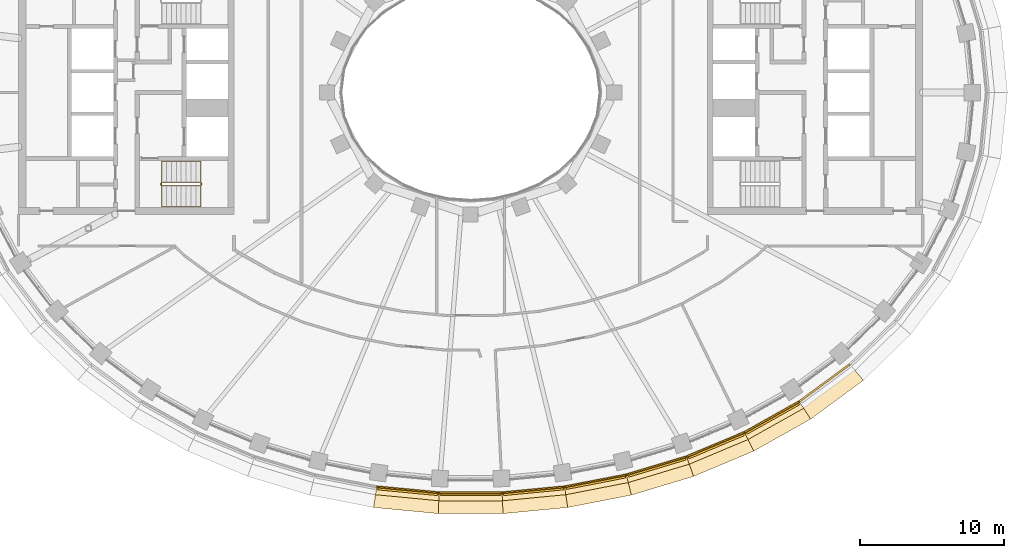
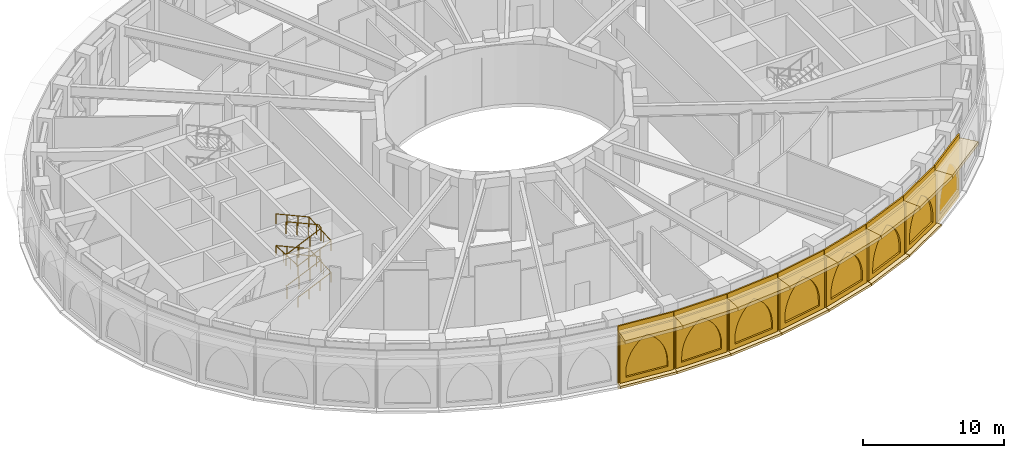
# One storey, part 21 of 25: 30 coverings, 2 railings.
"""IFC4 building model written with IfcOpenShell, lengths in metres."""

from ifc_helpers import new_model, si_unit, direction, frame, origin, origin_2d, place, context, subcontext, project, spatial, polyline, rectangle, outline, extrude, material, layer, layer_set, type_object, element, save


model = new_model("IFC4")

# Units and contexts
model_context = context("Model", 3, precision=1e-05, world=origin(), true_north=direction((0.0, 1.0)))
body_context = subcontext(model_context, "Body", "Model", "MODEL_VIEW")
ifc_project = project(units=[si_unit("LENGTHUNIT", "METRE"), si_unit("AREAUNIT", "SQUARE_METRE"), si_unit("VOLUMEUNIT", "CUBIC_METRE"), si_unit("PLANEANGLEUNIT", "RADIAN"), si_unit("MASSUNIT", "GRAM", prefix="KILO")], contexts=[model_context])

# Site, building, storey
site_placement = place(None, origin())
site = spatial("IfcSite", under=ifc_project, at=site_placement, CompositionType="ELEMENT")
building_placement = place(site_placement, origin())
building = spatial("IfcBuilding", under=site, at=building_placement, Name="Noorbagh Ring Tower", CompositionType="ELEMENT")
storey_placement = place(building_placement, frame((0.0, 0.0, 198.0)))
storey = spatial("IfcBuildingStorey", under=building, at=storey_placement, Name="L46", CompositionType="ELEMENT", Elevation=198.0)

# Railings
ifc_material_1 = material(Name="Stainless steel", Category="steel")
railing_type_1 = type_object("IfcRailingType", Name="CORE-STAIR-GUARD", PredefinedType="GUARDRAIL", material=ifc_material_1)
railing_1_placement = place(storey_placement, frame((-21.580078125, -6.449951171875, 0.0)))
element("IfcRailing", 1, at=railing_1_placement, inside=storey, type_object=railing_type_1, Name="L46 ST2 stair guard", PredefinedType="GUARDRAIL", context=body_context, shape_type="SweptSolid", body=[
    extrude(rectangle(XDim=0.048095703125, YDim=0.048095703125, at=origin_2d()), frame((0.0, 0.0, 1.076171875), z_axis=(0.0, 1.0, 0.0), x_axis=(-1.0, 0.0, 0.0)), (0.0, 0.0, 1.0), 0.14990234375),
    extrude(rectangle(XDim=0.048095703125, YDim=0.048095703125, at=origin_2d()), frame((0.0, 0.14990234375, 1.076171875), z_axis=(0.195046945594, -0.779236333862, 0.595606770449), x_axis=(0.970072785993, 0.242814311512, 0.0)), (0.0, 0.0, 1.0), 0.256591796875),
    extrude(rectangle(XDim=0.048095703125, YDim=0.048095703125, at=origin_2d()), frame((0.050048828125, -0.050048828125, 1.22900390625), z_axis=(0.912149621895, 0.0, 0.409857374312), x_axis=(0.0, 1.0, 0.0)), (0.0, 0.0, 1.0), 2.98193359375),
    extrude(rectangle(XDim=0.048095703125, YDim=0.048095703125, at=origin_2d()), frame((2.77001953125, -0.050048828125, 2.451171875), z_axis=(0.707106781187, 0.707106781187, 0.0), x_axis=(-0.707106781187, 0.707106781187, 0.0)), (0.0, 0.0, 1.0), 0.07080078125),
    extrude(rectangle(XDim=0.048095703125, YDim=0.048095703125, at=origin_2d()), frame((2.820068359375, 0.0, 2.451171875), z_axis=(0.0, 1.0, 0.0), x_axis=(-1.0, 0.0, 0.0)), (0.0, 0.0, 1.0), 0.14990234375),
    extrude(rectangle(XDim=0.048095703125, YDim=0.048095703125, at=origin_2d()), frame((2.820068359375, 0.14990234375, 2.451171875), z_axis=(-0.297155754911, 0.297155754911, 0.90741220768), x_axis=(-0.707106781187, -0.707106781187, 0.0)), (0.0, 0.0, 1.0), 0.16845703125),
    extrude(rectangle(XDim=0.048095703125, YDim=0.048095703125, at=origin_2d()), frame((2.77001953125, 0.199951171875, 2.60400390625), z_axis=(-0.912149621895, 0.0, 0.409857374312), x_axis=(0.0, -1.0, 0.0)), (0.0, 0.0, 1.0), 2.98193359375),
    extrude(rectangle(XDim=0.048095703125, YDim=0.048095703125, at=origin_2d()), frame((0.050048828125, 0.199951171875, 3.826171875), z_axis=(-0.242814311512, -0.970072785993, 0.0), x_axis=(0.970072785993, -0.242814311512, 0.0)), (0.0, 0.0, 1.0), 0.2060546875),
    extrude(rectangle(XDim=0.048095703125, YDim=0.048095703125, at=origin_2d()), frame((0.0, 0.0, 3.826171875), z_axis=(0.0, 1.0, 0.0), x_axis=(-1.0, 0.0, 0.0)), (0.0, 0.0, 1.0), 0.14990234375),
    extrude(rectangle(XDim=0.048095703125, YDim=0.048095703125, at=origin_2d()), frame((0.0, 0.14990234375, 3.826171875), z_axis=(0.195046945594, -0.779236333862, 0.595606770449), x_axis=(0.970072785993, 0.242814311512, 0.0)), (0.0, 0.0, 1.0), 0.256591796875),
    extrude(rectangle(XDim=0.048095703125, YDim=0.048095703125, at=origin_2d()), frame((0.050048828125, -0.050048828125, 3.97900390625), z_axis=(0.912149621895, 0.0, 0.409857374312), x_axis=(0.0, 1.0, 0.0)), (0.0, 0.0, 1.0), 2.98193359375),
    extrude(rectangle(XDim=0.048095703125, YDim=0.048095703125, at=origin_2d()), frame((2.77001953125, -0.050048828125, 5.201171875), z_axis=(0.707106781187, 0.707106781187, 0.0), x_axis=(-0.707106781187, 0.707106781187, 0.0)), (0.0, 0.0, 1.0), 0.07080078125),
    extrude(rectangle(XDim=0.048095703125, YDim=0.048095703125, at=origin_2d()), frame((2.820068359375, 0.0, 5.201171875), z_axis=(0.0, 1.0, 0.0), x_axis=(-1.0, 0.0, 0.0)), (0.0, 0.0, 1.0), 0.14990234375),
    extrude(rectangle(XDim=0.048095703125, YDim=0.048095703125, at=origin_2d()), frame((2.820068359375, 0.14990234375, 5.201171875), z_axis=(-0.297155754911, 0.297155754911, 0.90741220768), x_axis=(-0.707106781187, -0.707106781187, 0.0)), (0.0, 0.0, 1.0), 0.16845703125),
    extrude(rectangle(XDim=0.048095703125, YDim=0.048095703125, at=origin_2d()), frame((2.77001953125, 0.199951171875, 5.35400390625), z_axis=(-0.912149621895, 0.0, 0.409857374312), x_axis=(0.0, -1.0, 0.0)), (0.0, 0.0, 1.0), 2.98193359375),
    extrude(rectangle(XDim=0.0419921875, YDim=0.0419921875, at=origin_2d()), origin(), (0.0, 0.0, 1.0), 1.052001953125),
    extrude(rectangle(XDim=0.0419921875, YDim=0.0419921875, at=origin_2d()), frame((0.956787109375, -0.050048828125, 0.560302734375)), (0.0, 0.0, 1.0), 1.052001953125),
    extrude(rectangle(XDim=0.0419921875, YDim=0.0419921875, at=origin_2d()), frame((1.86328125, -0.050048828125, 0.967529296875)), (0.0, 0.0, 1.0), 1.052001953125),
    extrude(rectangle(XDim=0.0419921875, YDim=0.0419921875, at=origin_2d()), frame((2.77001953125, -0.050048828125, 1.375)), (0.0, 0.0, 1.0), 1.052001953125),
    extrude(rectangle(XDim=0.0419921875, YDim=0.0419921875, at=origin_2d()), frame((1.86328125, 0.199951171875, 1.935302734375)), (0.0, 0.0, 1.0), 1.052001953125),
    extrude(rectangle(XDim=0.0419921875, YDim=0.0419921875, at=origin_2d()), frame((0.956787109375, 0.199951171875, 2.342529296875)), (0.0, 0.0, 1.0), 1.052001953125),
    extrude(rectangle(XDim=0.0419921875, YDim=0.0419921875, at=origin_2d()), frame((0.050048828125, 0.199951171875, 2.75)), (0.0, 0.0, 1.0), 1.052001953125),
    extrude(rectangle(XDim=0.0419921875, YDim=0.0419921875, at=origin_2d()), frame((0.956787109375, -0.050048828125, 3.310302734375)), (0.0, 0.0, 1.0), 1.052001953125),
    extrude(rectangle(XDim=0.0419921875, YDim=0.0419921875, at=origin_2d()), frame((1.86328125, -0.050048828125, 3.717529296875)), (0.0, 0.0, 1.0), 1.052001953125),
    extrude(rectangle(XDim=0.0419921875, YDim=0.0419921875, at=origin_2d()), frame((2.77001953125, -0.050048828125, 4.125)), (0.0, 0.0, 1.0), 1.052001953125),
    extrude(rectangle(XDim=0.0419921875, YDim=0.0419921875, at=origin_2d()), frame((1.86328125, 0.199951171875, 4.685302734375)), (0.0, 0.0, 1.0), 1.052001953125),
    extrude(rectangle(XDim=0.0419921875, YDim=0.0419921875, at=origin_2d()), frame((0.956787109375, 0.199951171875, 5.092529296875)), (0.0, 0.0, 1.0), 1.052001953125),
    extrude(rectangle(XDim=0.0419921875, YDim=0.0419921875, at=origin_2d()), frame((0.050048828125, 0.199951171875, 5.5)), (0.0, 0.0, 1.0), 1.052001953125),
])
ifc_material_2 = material(Name="Stainless steel", Category="steel")
railing_type_2 = type_object("IfcRailingType", Name="CORE-STAIR-HANDRAIL", PredefinedType="HANDRAIL", material=ifc_material_2)
railing_2_placement = place(storey_placement, frame((-21.530029296875, -7.949951171875, 0.15283203125)))
element("IfcRailing", 2, at=railing_2_placement, inside=storey, type_object=railing_type_2, Name="L46 ST2 stair handrail", PredefinedType="HANDRAIL", context=body_context, shape_type="SweptSolid", body=[
    extrude(rectangle(XDim=0.048095703125, YDim=0.048095703125, at=origin_2d()), frame((0.0, 0.0, 0.8759765625), z_axis=(0.912149621895, 0.0, 0.409857374312), x_axis=(0.0, 1.0, 0.0)), (0.0, 0.0, 1.0), 2.98193359375),
    extrude(rectangle(XDim=0.048095703125, YDim=0.048095703125, at=origin_2d()), frame((2.719970703125, 0.0, 2.09814453125), z_axis=(0.0, 0.998824997948, 0.048462598722), x_axis=(-1.0, 0.0, 0.0)), (0.0, 0.0, 1.0), 3.153564453125),
    extrude(rectangle(XDim=0.048095703125, YDim=0.048095703125, at=origin_2d()), frame((2.719970703125, 3.14990234375, 2.2509765625), z_axis=(-0.912149621895, 0.0, 0.409857374312), x_axis=(0.0, -1.0, 0.0)), (0.0, 0.0, 1.0), 2.98193359375),
    extrude(rectangle(XDim=0.048095703125, YDim=0.048095703125, at=origin_2d()), frame((0.0, 3.14990234375, 3.47314453125), z_axis=(0.0, -0.998824997948, 0.048462598722), x_axis=(1.0, 0.0, 0.0)), (0.0, 0.0, 1.0), 3.153564453125),
    extrude(rectangle(XDim=0.048095703125, YDim=0.048095703125, at=origin_2d()), frame((0.0, 0.0, 3.6259765625), z_axis=(0.912149621895, 0.0, 0.409857374312), x_axis=(0.0, 1.0, 0.0)), (0.0, 0.0, 1.0), 2.98193359375),
    extrude(rectangle(XDim=0.048095703125, YDim=0.048095703125, at=origin_2d()), frame((2.719970703125, 0.0, 4.84814453125), z_axis=(0.0, 0.998824997948, 0.048462598722), x_axis=(-1.0, 0.0, 0.0)), (0.0, 0.0, 1.0), 3.153564453125),
    extrude(rectangle(XDim=0.048095703125, YDim=0.048095703125, at=origin_2d()), frame((2.719970703125, 3.14990234375, 5.0009765625), z_axis=(-0.912149621895, 0.0, 0.409857374312), x_axis=(0.0, -1.0, 0.0)), (0.0, 0.0, 1.0), 2.98193359375),
    extrude(rectangle(XDim=0.0419921875, YDim=0.0419921875, at=origin_2d()), origin(), (0.0, 0.0, 1.0), 0.851806640625),
    extrude(rectangle(XDim=0.0419921875, YDim=0.0419921875, at=origin_2d()), frame((0.90673828125, 0.0, 0.407470703125)), (0.0, 0.0, 1.0), 0.851806640625),
    extrude(rectangle(XDim=0.0419921875, YDim=0.0419921875, at=origin_2d()), frame((1.813232421875, 0.0, 0.814697265625)), (0.0, 0.0, 1.0), 0.851806640625),
    extrude(rectangle(XDim=0.0419921875, YDim=0.0419921875, at=origin_2d()), frame((2.719970703125, 0.0, 1.22216796875)), (0.0, 0.0, 1.0), 0.851806640625),
    extrude(rectangle(XDim=0.0419921875, YDim=0.0419921875, at=origin_2d()), frame((2.719970703125, 1.050048828125, 1.273193359375)), (0.0, 0.0, 1.0), 0.851806640625),
    extrude(rectangle(XDim=0.0419921875, YDim=0.0419921875, at=origin_2d()), frame((2.719970703125, 2.099853515625, 1.323974609375)), (0.0, 0.0, 1.0), 0.851806640625),
    extrude(rectangle(XDim=0.0419921875, YDim=0.0419921875, at=origin_2d()), frame((2.719970703125, 3.14990234375, 1.375)), (0.0, 0.0, 1.0), 0.851806640625),
    extrude(rectangle(XDim=0.0419921875, YDim=0.0419921875, at=origin_2d()), frame((1.813232421875, 3.14990234375, 1.782470703125)), (0.0, 0.0, 1.0), 0.851806640625),
    extrude(rectangle(XDim=0.0419921875, YDim=0.0419921875, at=origin_2d()), frame((0.90673828125, 3.14990234375, 2.189697265625)), (0.0, 0.0, 1.0), 0.851806640625),
    extrude(rectangle(XDim=0.0419921875, YDim=0.0419921875, at=origin_2d()), frame((0.0, 3.14990234375, 2.59716796875)), (0.0, 0.0, 1.0), 0.851806640625),
    extrude(rectangle(XDim=0.0419921875, YDim=0.0419921875, at=origin_2d()), frame((0.0, 2.099853515625, 2.648193359375)), (0.0, 0.0, 1.0), 0.851806640625),
    extrude(rectangle(XDim=0.0419921875, YDim=0.0419921875, at=origin_2d()), frame((0.0, 1.050048828125, 2.698974609375)), (0.0, 0.0, 1.0), 0.851806640625),
    extrude(rectangle(XDim=0.0419921875, YDim=0.0419921875, at=origin_2d()), frame((0.0, 0.0, 2.75)), (0.0, 0.0, 1.0), 0.851806640625),
    extrude(rectangle(XDim=0.0419921875, YDim=0.0419921875, at=origin_2d()), frame((0.90673828125, 0.0, 3.157470703125)), (0.0, 0.0, 1.0), 0.851806640625),
    extrude(rectangle(XDim=0.0419921875, YDim=0.0419921875, at=origin_2d()), frame((1.813232421875, 0.0, 3.564697265625)), (0.0, 0.0, 1.0), 0.851806640625),
    extrude(rectangle(XDim=0.0419921875, YDim=0.0419921875, at=origin_2d()), frame((2.719970703125, 0.0, 3.97216796875)), (0.0, 0.0, 1.0), 0.851806640625),
    extrude(rectangle(XDim=0.0419921875, YDim=0.0419921875, at=origin_2d()), frame((2.719970703125, 1.050048828125, 4.023193359375)), (0.0, 0.0, 1.0), 0.851806640625),
    extrude(rectangle(XDim=0.0419921875, YDim=0.0419921875, at=origin_2d()), frame((2.719970703125, 2.099853515625, 4.073974609375)), (0.0, 0.0, 1.0), 0.851806640625),
    extrude(rectangle(XDim=0.0419921875, YDim=0.0419921875, at=origin_2d()), frame((2.719970703125, 3.14990234375, 4.125)), (0.0, 0.0, 1.0), 0.851806640625),
    extrude(rectangle(XDim=0.0419921875, YDim=0.0419921875, at=origin_2d()), frame((1.813232421875, 3.14990234375, 4.532470703125)), (0.0, 0.0, 1.0), 0.851806640625),
    extrude(rectangle(XDim=0.0419921875, YDim=0.0419921875, at=origin_2d()), frame((0.90673828125, 3.14990234375, 4.939697265625)), (0.0, 0.0, 1.0), 0.851806640625),
    extrude(rectangle(XDim=0.0419921875, YDim=0.0419921875, at=origin_2d()), frame((0.0, 3.14990234375, 5.34716796875)), (0.0, 0.0, 1.0), 0.851806640625),
])

# Coverings
ifc_material_3 = material(Name="Aluminium 6063-T6 black anodised", Category="aluminium")
ifc_layer_1 = layer(ifc_material_3, 0.1201171875)
ifc_layer_set_1 = layer_set([ifc_layer_1], Name="Aluminium 6063-T6 black anodised")
covering_type_1 = type_object("IfcCoveringType", Name="ENV-LOUVRE-BAND", PredefinedType="CLADDING", material=ifc_layer_set_1)
for number, where, z_axis, x_axis, name in (
    (3, (-4.37060546875, -27.679931640625, -0.2998046875), (0.0, 0.0, 1.0), (0.995476497323, -0.095008122171, 0.0), "Louvre screen chord 34"),
    (4, (0.0, -27.887939453125, -0.2998046875), (0.0, 0.0, 1.0), (1.0, 0.0, 0.0), "Louvre screen chord 35"),
    (5, (4.37060546875, -27.679931640625, -0.2998046875), (0.0, 0.0, 1.0), (0.995476497323, 0.095008122171, 0.0), "Louvre screen chord 36"),
    (6, (8.700927734375, -27.053955078125, -0.2998046875), (0.0, 0.0, 1.0), (0.981624952922, 0.190820470077, 0.0), "Louvre screen chord 37"),
):
    element("IfcCovering", number, at=place(storey_placement, frame(where, z_axis=z_axis, x_axis=x_axis)), inside=storey, type_object=covering_type_1, Name=name, ObjectType="LOUVRE", PredefinedType="CLADDING", context=body_context, shape_type="SweptSolid", body=[
        extrude(rectangle(XDim=4.349853515625, YDim=0.1201171875, at=origin_2d()), origin(), (0.0, 0.0, 1.0), 5.449951171875),
    ])
covering_1_placement = place(storey_placement, frame((12.947998046875, -26.0048828125, -0.2998046875), z_axis=(0.0, 0.0, 1.0), x_axis=(0.957577925467, 0.28817445525, 0.0)))
element("IfcCovering", 7, at=covering_1_placement, inside=storey, type_object=covering_type_1, Name="Louvre screen chord 38", ObjectType="LOUVRE", PredefinedType="CLADDING", context=body_context, shape_type="SweptSolid", body=[
    extrude(rectangle(XDim=4.349609375, YDim=0.1201171875, at=origin_2d()), origin(), (0.0, 0.0, 1.0), 5.449951171875),
])
covering_2_placement = place(storey_placement, frame((17.0634765625, -24.52490234375, -0.2998046875), z_axis=(0.0, 0.0, 1.0), x_axis=(0.921811566494, 0.387638279686, 0.0)))
element("IfcCovering", 8, at=covering_2_placement, inside=storey, type_object=covering_type_1, Name="Louvre screen chord 39", ObjectType="LOUVRE", PredefinedType="CLADDING", context=body_context, shape_type="SweptSolid", body=[
    extrude(rectangle(XDim=4.349365234375, YDim=0.1201171875, at=origin_2d()), origin(), (0.0, 0.0, 1.0), 5.449951171875),
])
covering_3_placement = place(storey_placement, frame((20.990966796875, -22.604736328125, -0.2998046875), z_axis=(0.0, 0.0, 1.0), x_axis=(0.872044586249, 0.48942643941, 0.0)))
element("IfcCovering", 9, at=covering_3_placement, inside=storey, type_object=covering_type_1, Name="Louvre screen chord 40", ObjectType="LOUVRE", PredefinedType="CLADDING", context=body_context, shape_type="SweptSolid", body=[
    extrude(rectangle(XDim=4.34912109375, YDim=0.1201171875, at=origin_2d()), origin(), (0.0, 0.0, 1.0), 5.449951171875),
])
covering_4_placement = place(storey_placement, frame((24.662109375, -20.2353515625, -0.2998046875), z_axis=(0.0, 0.0, 1.0), x_axis=(0.805153045326, 0.593067090304, 0.0)))
element("IfcCovering", 10, at=covering_4_placement, inside=storey, type_object=covering_type_1, Name="Louvre screen chord 41", ObjectType="LOUVRE", PredefinedType="CLADDING", context=body_context, shape_type="SweptSolid", body=[
    extrude(rectangle(XDim=4.3486328125, YDim=0.1201171875, at=origin_2d()), origin(), (0.0, 0.0, 1.0), 5.449951171875),
])
ifc_material_4 = material(Name="Red sandstone cladding", Category="masonry")
ifc_layer_2 = layer(ifc_material_4, 0.14990234375)
ifc_layer_set_2 = layer_set([ifc_layer_2], Name="Red sandstone cladding")
covering_type_2 = type_object("IfcCoveringType", Name="STYLE-BAND-ARCADE", PredefinedType="USERDEFINED", material=ifc_layer_set_2)
covering_5_placement = place(storey_placement, frame((-6.474365234375, -27.690185546875, 0.25), z_axis=(-0.094998982718, -0.995477369548, 0.0), x_axis=(0.995477369548, -0.094998982718, 0.0)))
element("IfcCovering", 11, at=covering_5_placement, inside=storey, type_object=covering_type_2, Name="Blind arch bay of the band", ObjectType="ARCH", PredefinedType="USERDEFINED", context=body_context, shape_type="SweptSolid", body=[
    extrude(outline(polyline([(0.0, 0.0), (4.1865234375, 0.0), (4.1865234375, 4.25), (0.0, 4.25), (0.0, 0.0)]), holes=[polyline([(0.449951171875, 0.39990234375), (0.449951171875, 0.85400390625), (0.47802734375, 1.282958984375), (0.56201171875, 1.70458984375), (0.7001953125, 2.11181640625), (0.890380859375, 2.497314453125), (1.129150390625, 2.8544921875), (1.41259765625, 3.177734375), (1.735595703125, 3.461181640625), (2.09326171875, 3.7001953125), (2.45068359375, 3.461181640625), (2.773681640625, 3.177734375), (3.05712890625, 2.8544921875), (3.2958984375, 2.497314453125), (3.486083984375, 2.11181640625), (3.624267578125, 1.70458984375), (3.708251953125, 1.282958984375), (3.736328125, 0.85400390625), (3.736328125, 0.39990234375), (0.449951171875, 0.39990234375)])]), origin(), (0.0, 0.0, -1.0), 0.14990234375),
])
covering_6_placement = place(storey_placement, frame((-2.09326171875, -28.097900390625, 0.25), z_axis=(0.0, -1.0, 0.0), x_axis=(1.0, 0.0, 0.0)))
element("IfcCovering", 12, at=covering_6_placement, inside=storey, type_object=covering_type_2, Name="Blind arch bay of the band", ObjectType="ARCH", PredefinedType="USERDEFINED", context=body_context, shape_type="SweptSolid", body=[
    extrude(outline(polyline([(0.0, 0.0), (4.1865234375, 0.0), (4.1865234375, 4.25), (0.0, 4.25), (0.0, 0.0)]), holes=[polyline([(0.449951171875, 0.39990234375), (0.449951171875, 0.85400390625), (0.47802734375, 1.282958984375), (0.56201171875, 1.70458984375), (0.7001953125, 2.111572265625), (0.890380859375, 2.497314453125), (1.129150390625, 2.8544921875), (1.41259765625, 3.177734375), (1.735595703125, 3.461181640625), (2.09326171875, 3.7001953125), (2.45068359375, 3.461181640625), (2.773681640625, 3.177734375), (3.05712890625, 2.8544921875), (3.296142578125, 2.497314453125), (3.486083984375, 2.111572265625), (3.62451171875, 1.70458984375), (3.708251953125, 1.282958984375), (3.736328125, 0.85400390625), (3.736328125, 0.39990234375), (0.449951171875, 0.39990234375)])]), origin(), (0.0, 0.0, -1.0), 0.14990234375),
])
covering_7_placement = place(storey_placement, frame((2.306884765625, -28.087890625, 0.25), z_axis=(0.094998982718, -0.995477369548, 0.0), x_axis=(0.995477369548, 0.094998982718, 0.0)))
element("IfcCovering", 13, at=covering_7_placement, inside=storey, type_object=covering_type_2, Name="Blind arch bay of the band", ObjectType="ARCH", PredefinedType="USERDEFINED", context=body_context, shape_type="SweptSolid", body=[
    extrude(outline(polyline([(0.0, 0.0), (4.1865234375, 0.0), (4.1865234375, 4.25), (0.0, 4.25), (0.0, 0.0)]), holes=[polyline([(0.449951171875, 0.39990234375), (0.449951171875, 0.85400390625), (0.47802734375, 1.282958984375), (0.56201171875, 1.70458984375), (0.7001953125, 2.11181640625), (0.890380859375, 2.497314453125), (1.129150390625, 2.8544921875), (1.41259765625, 3.177734375), (1.735595703125, 3.461181640625), (2.09326171875, 3.7001953125), (2.45068359375, 3.461181640625), (2.773681640625, 3.177734375), (3.05712890625, 2.8544921875), (3.2958984375, 2.497314453125), (3.486083984375, 2.11181640625), (3.624267578125, 1.70458984375), (3.708251953125, 1.282958984375), (3.736328125, 0.85400390625), (3.736328125, 0.39990234375), (0.449951171875, 0.39990234375)])]), origin(), (0.0, 0.0, -1.0), 0.14990234375),
])
covering_8_placement = place(storey_placement, frame((6.6865234375, -27.659423828125, 0.25), z_axis=(0.190819708322, -0.981625101001, 0.0), x_axis=(0.981625101001, 0.190819708322, 0.0)))
element("IfcCovering", 14, at=covering_8_placement, inside=storey, type_object=covering_type_2, Name="Blind arch bay of the band", ObjectType="ARCH", PredefinedType="USERDEFINED", context=body_context, shape_type="SweptSolid", body=[
    extrude(outline(polyline([(0.0, 0.0), (4.186279296875, 0.0), (4.186279296875, 4.25), (0.0, 4.25), (0.0, 0.0)]), holes=[polyline([(0.449951171875, 0.39990234375), (0.449951171875, 0.85400390625), (0.47802734375, 1.283203125), (0.56201171875, 1.70458984375), (0.7001953125, 2.11181640625), (0.890380859375, 2.497314453125), (1.129150390625, 2.854736328125), (1.41259765625, 3.177734375), (1.735595703125, 3.461181640625), (2.093017578125, 3.7001953125), (2.450439453125, 3.461181640625), (2.773681640625, 3.177734375), (3.05712890625, 2.854736328125), (3.2958984375, 2.497314453125), (3.486083984375, 2.11181640625), (3.624267578125, 1.70458984375), (3.7080078125, 1.283203125), (3.736083984375, 0.85400390625), (3.736083984375, 0.39990234375), (0.449951171875, 0.39990234375)])]), origin(), (0.0, 0.0, -1.0), 0.14990234375),
])
covering_9_placement = place(storey_placement, frame((11.00439453125, -26.80908203125, 0.25), z_axis=(0.288182515773, -0.957575499688, 0.0), x_axis=(0.957575499688, 0.288182515773, 0.0)))
element("IfcCovering", 15, at=covering_9_placement, inside=storey, type_object=covering_type_2, Name="Blind arch bay of the band", ObjectType="ARCH", PredefinedType="USERDEFINED", context=body_context, shape_type="SweptSolid", body=[
    extrude(outline(polyline([(0.0, 0.0), (4.185791015625, 0.0), (4.185791015625, 4.25), (0.0, 4.25), (0.0, 0.0)]), holes=[polyline([(0.449951171875, 0.39990234375), (0.449951171875, 0.854248046875), (0.47802734375, 1.283203125), (0.56201171875, 1.704833984375), (0.7001953125, 2.11181640625), (0.890380859375, 2.497314453125), (1.129150390625, 2.854736328125), (1.41259765625, 3.177978515625), (1.735595703125, 3.461181640625), (2.093017578125, 3.7001953125), (2.450439453125, 3.461181640625), (2.773681640625, 3.177978515625), (3.056884765625, 2.854736328125), (3.2958984375, 2.497314453125), (3.48583984375, 2.11181640625), (3.6240234375, 1.704833984375), (3.7080078125, 1.283203125), (3.736083984375, 0.854248046875), (3.736083984375, 0.39990234375), (0.449951171875, 0.39990234375)])]), origin(), (0.0, 0.0, -1.0), 0.14990234375),
])
covering_10_placement = place(storey_placement, frame((15.215576171875, -25.52978515625, 0.25), z_axis=(0.387624121421, -0.92181752017, 0.0), x_axis=(0.92181752017, 0.387624121421, 0.0)))
element("IfcCovering", 16, at=covering_10_placement, inside=storey, type_object=covering_type_2, Name="Blind arch bay of the band", ObjectType="ARCH", PredefinedType="USERDEFINED", context=body_context, shape_type="SweptSolid", body=[
    extrude(outline(polyline([(0.0, 0.0), (4.185791015625, 0.0), (4.185791015625, 4.25), (0.0, 4.25), (0.0, 0.0)]), holes=[polyline([(0.449951171875, 0.39990234375), (0.449951171875, 0.8544921875), (0.47802734375, 1.283447265625), (0.56201171875, 1.704833984375), (0.7001953125, 2.11181640625), (0.89013671875, 2.497314453125), (1.12890625, 2.854736328125), (1.412353515625, 3.177978515625), (1.735595703125, 3.461181640625), (2.093017578125, 3.7001953125), (2.4501953125, 3.461181640625), (2.7734375, 3.177978515625), (3.056884765625, 2.854736328125), (3.295654296875, 2.497314453125), (3.485595703125, 2.11181640625), (3.623779296875, 1.704833984375), (3.707763671875, 1.283447265625), (3.73583984375, 0.8544921875), (3.73583984375, 0.39990234375), (0.449951171875, 0.39990234375)])]), origin(), (0.0, 0.0, -1.0), 0.14990234375),
])
covering_11_placement = place(storey_placement, frame((19.268798828125, -23.81201171875, 0.25), z_axis=(0.489402470802, -0.872058037961, 0.0), x_axis=(0.872058037961, 0.489402470802, 0.0)))
element("IfcCovering", 17, at=covering_11_placement, inside=storey, type_object=covering_type_2, Name="Blind arch bay of the band", ObjectType="ARCH", PredefinedType="USERDEFINED", context=body_context, shape_type="SweptSolid", body=[
    extrude(outline(polyline([(0.0, 0.0), (4.185302734375, 0.0), (4.185302734375, 4.25), (0.0, 4.25), (0.0, 0.0)]), holes=[polyline([(0.449951171875, 0.39990234375), (0.449951171875, 0.854736328125), (0.47802734375, 1.28369140625), (0.56201171875, 1.705078125), (0.7001953125, 2.112060546875), (0.89013671875, 2.49755859375), (1.12890625, 2.85498046875), (1.412353515625, 3.177978515625), (1.7353515625, 3.461181640625), (2.0927734375, 3.7001953125), (2.4501953125, 3.461181640625), (2.773193359375, 3.177978515625), (3.056396484375, 2.85498046875), (3.29541015625, 2.49755859375), (3.4853515625, 2.112060546875), (3.62353515625, 1.705078125), (3.70751953125, 1.28369140625), (3.735595703125, 0.854736328125), (3.735595703125, 0.39990234375), (0.449951171875, 0.39990234375)])]), origin(), (0.0, 0.0, -1.0), 0.14990234375),
])
ifc_material_5 = material(Name="Red sandstone eave", Category="masonry")
covering_type_3 = type_object("IfcCoveringType", Name="STYLE-BAND-EAVE", PredefinedType="USERDEFINED", material=ifc_material_5)
covering_12_placement = place(storey_placement, frame((0.0, 0.0, 4.5)))
element("IfcCovering", 18, at=covering_12_placement, inside=storey, type_object=covering_type_3, Name="Chhajja eave", ObjectType="CHHAJJA", PredefinedType="USERDEFINED", context=body_context, shape_type="SweptSolid", body=[
    extrude(outline(polyline([(-6.559814453125, -27.53125), (-2.193115234375, -27.947998046875), (-2.259765625, -29.347900390625), (-6.76025390625, -28.91845703125), (-6.559814453125, -27.53125)])), origin(), (0.0, 0.0, 1.0), 0.300048828125),
])
covering_13_placement = place(storey_placement, frame((0.0, 0.0, 4.5)))
element("IfcCovering", 19, at=covering_13_placement, inside=storey, type_object=covering_type_3, Name="Chhajja eave", ObjectType="CHHAJJA", PredefinedType="USERDEFINED", context=body_context, shape_type="SweptSolid", body=[
    extrude(outline(polyline([(-2.193115234375, -27.947998046875), (2.193115234375, -27.947998046875), (2.259765625, -29.347900390625), (-2.259765625, -29.347900390625), (-2.193115234375, -27.947998046875)])), origin(), (0.0, 0.0, 1.0), 0.300048828125),
])
covering_14_placement = place(storey_placement, frame((0.0, 0.0, 4.5)))
element("IfcCovering", 20, at=covering_14_placement, inside=storey, type_object=covering_type_3, Name="Chhajja eave", ObjectType="CHHAJJA", PredefinedType="USERDEFINED", context=body_context, shape_type="SweptSolid", body=[
    extrude(outline(polyline([(2.193115234375, -27.947998046875), (6.559814453125, -27.53125), (6.76025390625, -28.91845703125), (2.259765625, -29.347900390625), (2.193115234375, -27.947998046875)])), origin(), (0.0, 0.0, 1.0), 0.300048828125),
])
covering_15_placement = place(storey_placement, frame((0.0, 0.0, 4.5)))
element("IfcCovering", 21, at=covering_15_placement, inside=storey, type_object=covering_type_3, Name="Chhajja eave", ObjectType="CHHAJJA", PredefinedType="USERDEFINED", context=body_context, shape_type="SweptSolid", body=[
    extrude(outline(polyline([(6.559814453125, -27.53125), (10.865234375, -26.6943359375), (11.201416015625, -28.05517578125), (6.76025390625, -28.91845703125), (6.559814453125, -27.53125)])), origin(), (0.0, 0.0, 1.0), 0.300048828125),
])
covering_16_placement = place(storey_placement, frame((0.0, 0.0, 4.5)))
element("IfcCovering", 22, at=covering_16_placement, inside=storey, type_object=covering_type_3, Name="Chhajja eave", ObjectType="CHHAJJA", PredefinedType="USERDEFINED", context=body_context, shape_type="SweptSolid", body=[
    extrude(outline(polyline([(10.865234375, -26.6943359375), (15.065185546875, -25.430419921875), (15.539794921875, -26.74951171875), (11.201416015625, -28.05517578125), (10.865234375, -26.6943359375)])), origin(), (0.0, 0.0, 1.0), 0.300048828125),
])
covering_17_placement = place(storey_placement, frame((0.0, 0.0, 4.5)))
element("IfcCovering", 23, at=covering_17_placement, inside=storey, type_object=covering_type_3, Name="Chhajja eave", ObjectType="CHHAJJA", PredefinedType="USERDEFINED", context=body_context, shape_type="SweptSolid", body=[
    extrude(outline(polyline([(15.065185546875, -25.430419921875), (19.108154296875, -23.730224609375), (19.72412109375, -24.989990234375), (15.539794921875, -26.74951171875), (15.065185546875, -25.430419921875)])), origin(), (0.0, 0.0, 1.0), 0.300048828125),
])
covering_18_placement = place(storey_placement, frame((0.0, 0.0, 4.5)))
element("IfcCovering", 24, at=covering_18_placement, inside=storey, type_object=covering_type_3, Name="Chhajja eave", ObjectType="CHHAJJA", PredefinedType="USERDEFINED", context=body_context, shape_type="SweptSolid", body=[
    extrude(outline(polyline([(19.108154296875, -23.730224609375), (22.9326171875, -21.583740234375), (23.693115234375, -22.762451171875), (19.72412109375, -24.989990234375), (19.108154296875, -23.730224609375)])), origin(), (0.0, 0.0, 1.0), 0.300048828125),
])
covering_19_placement = place(storey_placement, frame((0.0, 0.0, 4.5)))
element("IfcCovering", 25, at=covering_19_placement, inside=storey, type_object=covering_type_3, Name="Chhajja eave", ObjectType="CHHAJJA", PredefinedType="USERDEFINED", context=body_context, shape_type="SweptSolid", body=[
    extrude(outline(polyline([(22.9326171875, -21.583740234375), (26.463134765625, -18.9833984375), (27.3701171875, -20.053955078125), (23.693115234375, -22.762451171875), (22.9326171875, -21.583740234375)])), origin(), (0.0, 0.0, 1.0), 0.300048828125),
])
ifc_material_6 = material(Name="Red sandstone eave", Category="masonry")
covering_type_4 = type_object("IfcCoveringType", Name="STYLE-BAND-SILL", PredefinedType="USERDEFINED", material=ifc_material_6)
covering_20_placement = place(storey_placement, frame((0.0, 0.0, 0.050048828125)))
element("IfcCovering", 26, at=covering_20_placement, inside=storey, type_object=covering_type_4, Name="Sill ledge", ObjectType="CHHAJJA", PredefinedType="USERDEFINED", context=body_context, shape_type="SweptSolid", body=[
    extrude(outline(polyline([(-6.559814453125, -27.53125), (-2.193115234375, -27.947998046875), (-2.217041015625, -28.447998046875), (-6.63134765625, -28.026611328125), (-6.559814453125, -27.53125)])), origin(), (0.0, 0.0, 1.0), 0.199951171875),
])
covering_21_placement = place(storey_placement, frame((0.0, 0.0, 0.050048828125)))
element("IfcCovering", 27, at=covering_21_placement, inside=storey, type_object=covering_type_4, Name="Sill ledge", ObjectType="CHHAJJA", PredefinedType="USERDEFINED", context=body_context, shape_type="SweptSolid", body=[
    extrude(outline(polyline([(-2.193115234375, -27.947998046875), (2.193115234375, -27.947998046875), (2.217041015625, -28.447998046875), (-2.217041015625, -28.447998046875), (-2.193115234375, -27.947998046875)])), origin(), (0.0, 0.0, 1.0), 0.199951171875),
])
covering_22_placement = place(storey_placement, frame((0.0, 0.0, 0.050048828125)))
element("IfcCovering", 28, at=covering_22_placement, inside=storey, type_object=covering_type_4, Name="Sill ledge", ObjectType="CHHAJJA", PredefinedType="USERDEFINED", context=body_context, shape_type="SweptSolid", body=[
    extrude(outline(polyline([(2.193115234375, -27.947998046875), (6.559814453125, -27.53125), (6.63134765625, -28.026611328125), (2.217041015625, -28.447998046875), (2.193115234375, -27.947998046875)])), origin(), (0.0, 0.0, 1.0), 0.199951171875),
])
covering_23_placement = place(storey_placement, frame((0.0, 0.0, 0.050048828125)))
element("IfcCovering", 29, at=covering_23_placement, inside=storey, type_object=covering_type_4, Name="Sill ledge", ObjectType="CHHAJJA", PredefinedType="USERDEFINED", context=body_context, shape_type="SweptSolid", body=[
    extrude(outline(polyline([(6.559814453125, -27.53125), (10.865234375, -26.6943359375), (10.9853515625, -27.180419921875), (6.63134765625, -28.026611328125), (6.559814453125, -27.53125)])), origin(), (0.0, 0.0, 1.0), 0.199951171875),
])
covering_24_placement = place(storey_placement, frame((0.0, 0.0, 0.050048828125)))
element("IfcCovering", 30, at=covering_24_placement, inside=storey, type_object=covering_type_4, Name="Sill ledge", ObjectType="CHHAJJA", PredefinedType="USERDEFINED", context=body_context, shape_type="SweptSolid", body=[
    extrude(outline(polyline([(10.865234375, -26.6943359375), (15.065185546875, -25.430419921875), (15.234619140625, -25.901611328125), (10.9853515625, -27.180419921875), (10.865234375, -26.6943359375)])), origin(), (0.0, 0.0, 1.0), 0.199951171875),
])
covering_25_placement = place(storey_placement, frame((0.0, 0.0, 0.050048828125)))
element("IfcCovering", 31, at=covering_25_placement, inside=storey, type_object=covering_type_4, Name="Sill ledge", ObjectType="CHHAJJA", PredefinedType="USERDEFINED", context=body_context, shape_type="SweptSolid", body=[
    extrude(outline(polyline([(15.065185546875, -25.430419921875), (19.108154296875, -23.730224609375), (19.328125, -24.18017578125), (15.234619140625, -25.901611328125), (15.065185546875, -25.430419921875)])), origin(), (0.0, 0.0, 1.0), 0.199951171875),
])
covering_26_placement = place(storey_placement, frame((0.0, 0.0, 0.050048828125)))
element("IfcCovering", 32, at=covering_26_placement, inside=storey, type_object=covering_type_4, Name="Sill ledge", ObjectType="CHHAJJA", PredefinedType="USERDEFINED", context=body_context, shape_type="SweptSolid", body=[
    extrude(outline(polyline([(19.108154296875, -23.730224609375), (22.9326171875, -21.583740234375), (23.2041015625, -22.004638671875), (19.328125, -24.18017578125), (19.108154296875, -23.730224609375)])), origin(), (0.0, 0.0, 1.0), 0.199951171875),
])

save(model, "model.ifc")
